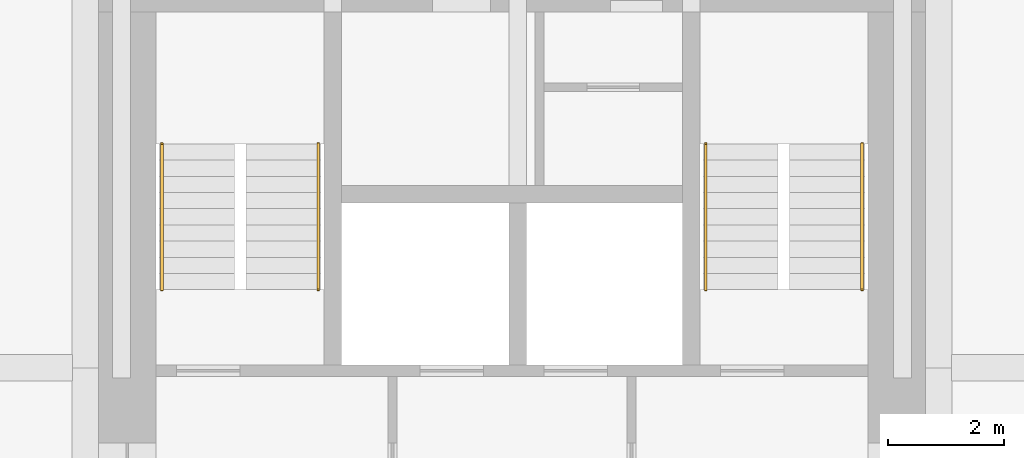
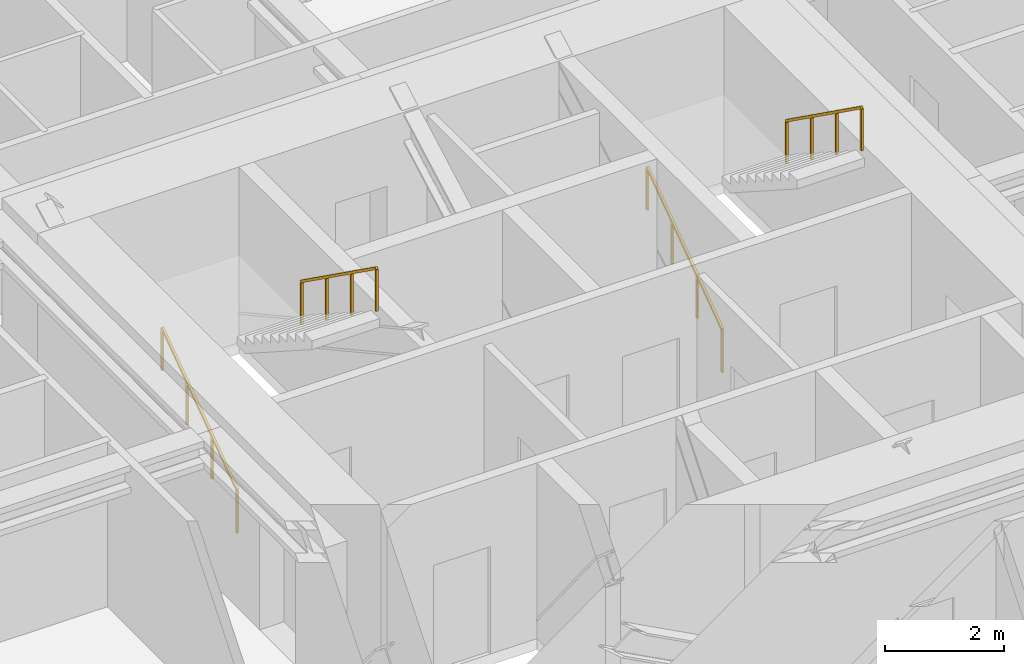
# One storey, part 10 of 10: 4 railings.
"""IFC4 building model written with IfcOpenShell, lengths in metres."""

from ifc_helpers import new_model, si_unit, direction, frame, origin, origin_2d, place, context, subcontext, project, spatial, rectangle, extrude, material, type_object, element, save


model = new_model("IFC4")

# Units and contexts
model_context = context("Model", 3, precision=1e-05, world=origin(), true_north=direction((0.0, 1.0)))
body_context = subcontext(model_context, "Body", "Model", "MODEL_VIEW")
ifc_project = project(units=[si_unit("LENGTHUNIT", "METRE"), si_unit("AREAUNIT", "SQUARE_METRE"), si_unit("VOLUMEUNIT", "CUBIC_METRE"), si_unit("PLANEANGLEUNIT", "RADIAN"), si_unit("MASSUNIT", "GRAM", prefix="KILO")], contexts=[model_context])

# Site, building, storey
site_placement = place(None, origin())
site = spatial("IfcSite", under=ifc_project, at=site_placement, CompositionType="ELEMENT")
building_placement = place(site_placement, origin())
building = spatial("IfcBuilding", under=site, at=building_placement, Name="Nyansa Garden Tower", CompositionType="ELEMENT")
storey_placement = place(building_placement, frame((0.0, 0.0, 145.800048828125)))
storey = spatial("IfcBuildingStorey", under=building, at=storey_placement, Name="L39", CompositionType="ELEMENT", Elevation=145.800048828125)

# Railings
ifc_material = material(Name="Black powder-coated steel tube 48 mm", Category="steel")
railing_type = type_object("IfcRailingType", Name="Stair handrail HR1", PredefinedType="HANDRAIL", material=ifc_material)
railing_1_placement = place(storey_placement, frame((14.199951171875, 21.60009765625, 0.0)))
element("IfcRailing", 1, at=railing_1_placement, inside=storey, type_object=railing_type, Name="Stair S1 handrail L39", PredefinedType="HANDRAIL", context=body_context, shape_type="SweptSolid", body=[
    extrude(rectangle(XDim=0.048095703125, YDim=0.048095703125, at=origin_2d()), frame((0.0, 0.0, 0.8759765625), z_axis=(0.0, 0.813728144527, 0.581245650998), x_axis=(-1.0, 0.0, 0.0)), (0.0, 0.0, 1.0), 3.096923828125),
    extrude(rectangle(XDim=0.0419921875, YDim=0.0419921875, at=origin_2d()), origin(), (0.0, 0.0, 1.0), 0.851806640625),
    extrude(rectangle(XDim=0.0419921875, YDim=0.0419921875, at=origin_2d()), frame((0.0, 0.840087890625, 0.60009765625)), (0.0, 0.0, 1.0), 0.851806640625),
    extrude(rectangle(XDim=0.0419921875, YDim=0.0419921875, at=origin_2d()), frame((0.0, 1.679931640625, 1.199951171875)), (0.0, 0.0, 1.0), 0.851806640625),
    extrude(rectangle(XDim=0.0419921875, YDim=0.0419921875, at=origin_2d()), frame((0.0, 2.52001953125, 1.800048828125)), (0.0, 0.0, 1.0), 0.851806640625),
])
railing_2_placement = place(storey_placement, frame((16.89990234375, 24.1201171875, 1.800048828125)))
element("IfcRailing", 2, at=railing_2_placement, inside=storey, type_object=railing_type, Name="Stair S1 handrail L39", PredefinedType="HANDRAIL", context=body_context, shape_type="SweptSolid", body=[
    extrude(rectangle(XDim=0.048095703125, YDim=0.048095703125, at=origin_2d()), frame((0.0, 0.0, 0.8759765625), z_axis=(0.0, -0.813765431312, 0.581193446971), x_axis=(1.0, 0.0, 0.0)), (0.0, 0.0, 1.0), 3.0966796875),
    extrude(rectangle(XDim=0.0419921875, YDim=0.0419921875, at=origin_2d()), origin(), (0.0, 0.0, 1.0), 0.851806640625),
    extrude(rectangle(XDim=0.0419921875, YDim=0.0419921875, at=origin_2d()), frame((0.0, -0.840087890625, 0.599853515625)), (0.0, 0.0, 1.0), 0.851806640625),
    extrude(rectangle(XDim=0.0419921875, YDim=0.0419921875, at=origin_2d()), frame((0.0, -1.679931640625, 1.199951171875)), (0.0, 0.0, 1.0), 0.851806640625),
    extrude(rectangle(XDim=0.0419921875, YDim=0.0419921875, at=origin_2d()), frame((0.0, -2.52001953125, 1.7998046875)), (0.0, 0.0, 1.0), 0.851806640625),
])
railing_3_placement = place(storey_placement, frame((23.60009765625, 21.60009765625, 0.0)))
element("IfcRailing", 3, at=railing_3_placement, inside=storey, type_object=railing_type, Name="Stair S2 handrail L39", PredefinedType="HANDRAIL", context=body_context, shape_type="SweptSolid", body=[
    extrude(rectangle(XDim=0.048095703125, YDim=0.048095703125, at=origin_2d()), frame((0.0, 0.0, 0.8759765625), z_axis=(0.0, 0.813728144527, 0.581245650998), x_axis=(-1.0, 0.0, 0.0)), (0.0, 0.0, 1.0), 3.096923828125),
    extrude(rectangle(XDim=0.0419921875, YDim=0.0419921875, at=origin_2d()), origin(), (0.0, 0.0, 1.0), 0.851806640625),
    extrude(rectangle(XDim=0.0419921875, YDim=0.0419921875, at=origin_2d()), frame((0.0, 0.840087890625, 0.60009765625)), (0.0, 0.0, 1.0), 0.851806640625),
    extrude(rectangle(XDim=0.0419921875, YDim=0.0419921875, at=origin_2d()), frame((0.0, 1.679931640625, 1.199951171875)), (0.0, 0.0, 1.0), 0.851806640625),
    extrude(rectangle(XDim=0.0419921875, YDim=0.0419921875, at=origin_2d()), frame((0.0, 2.52001953125, 1.800048828125)), (0.0, 0.0, 1.0), 0.851806640625),
])
railing_4_placement = place(storey_placement, frame((26.300048828125, 24.1201171875, 1.800048828125)))
element("IfcRailing", 4, at=railing_4_placement, inside=storey, type_object=railing_type, Name="Stair S2 handrail L39", PredefinedType="HANDRAIL", context=body_context, shape_type="SweptSolid", body=[
    extrude(rectangle(XDim=0.048095703125, YDim=0.048095703125, at=origin_2d()), frame((0.0, 0.0, 0.8759765625), z_axis=(0.0, -0.813765431312, 0.581193446971), x_axis=(1.0, 0.0, 0.0)), (0.0, 0.0, 1.0), 3.0966796875),
    extrude(rectangle(XDim=0.0419921875, YDim=0.0419921875, at=origin_2d()), origin(), (0.0, 0.0, 1.0), 0.851806640625),
    extrude(rectangle(XDim=0.0419921875, YDim=0.0419921875, at=origin_2d()), frame((0.0, -0.840087890625, 0.599853515625)), (0.0, 0.0, 1.0), 0.851806640625),
    extrude(rectangle(XDim=0.0419921875, YDim=0.0419921875, at=origin_2d()), frame((0.0, -1.679931640625, 1.199951171875)), (0.0, 0.0, 1.0), 0.851806640625),
    extrude(rectangle(XDim=0.0419921875, YDim=0.0419921875, at=origin_2d()), frame((0.0, -2.52001953125, 1.7998046875)), (0.0, 0.0, 1.0), 0.851806640625),
])

save(model, "model.ifc")
